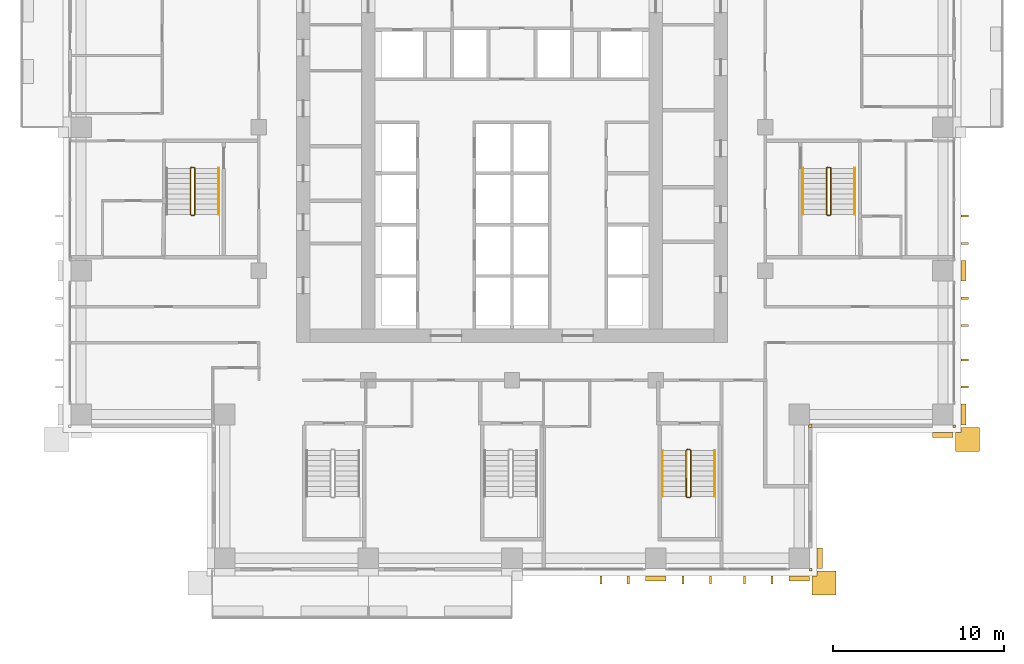
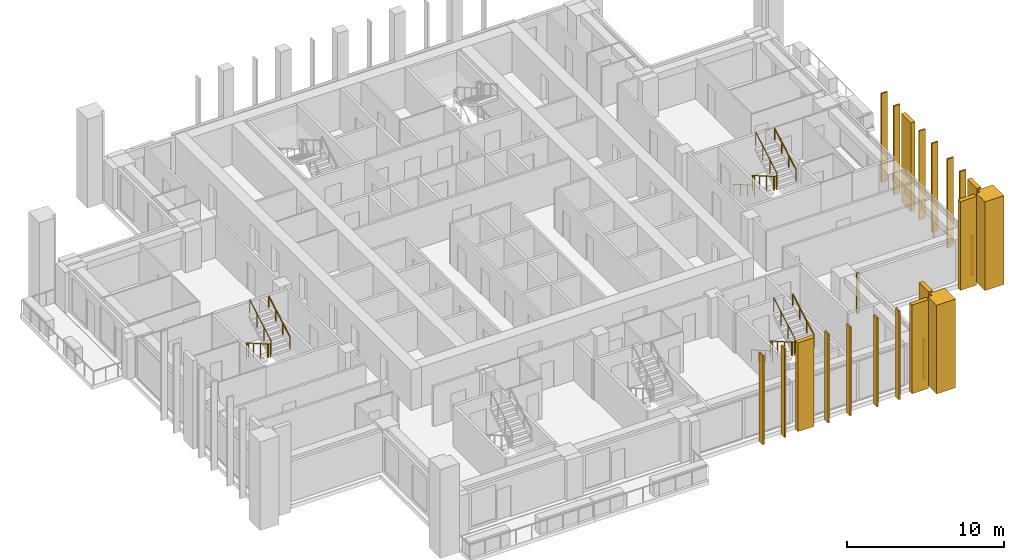
# One storey, part 14 of 17: 23 coverings, 8 railings.
"""IFC4 building model written with IfcOpenShell, lengths in metres."""

from ifc_helpers import new_model, si_unit, direction, frame, origin, origin_2d, place, context, subcontext, project, spatial, polyline, rectangle, outline, extrude, material, layer, layer_set, type_object, element, save


model = new_model("IFC4")

# Units and contexts
model_context = context("Model", 3, precision=1e-05, world=origin(), true_north=direction((0.0, 1.0)))
body_context = subcontext(model_context, "Body", "Model", "MODEL_VIEW")
ifc_project = project(units=[si_unit("LENGTHUNIT", "METRE"), si_unit("AREAUNIT", "SQUARE_METRE"), si_unit("VOLUMEUNIT", "CUBIC_METRE"), si_unit("PLANEANGLEUNIT", "RADIAN"), si_unit("MASSUNIT", "GRAM", prefix="KILO")], contexts=[model_context])

# Site, building, storey
site_placement = place(None, origin())
site = spatial("IfcSite", under=ifc_project, at=site_placement, CompositionType="ELEMENT")
building_placement = place(site_placement, origin())
building = spatial("IfcBuilding", under=site, at=building_placement, Name="Vermilion Ogive Tower", CompositionType="ELEMENT")
storey_placement = place(building_placement, frame((0.0, 0.0, 111.449951171875)))
storey = spatial("IfcBuildingStorey", under=building, at=storey_placement, Name="L28", CompositionType="ELEMENT", Elevation=111.449951171875)

# Coverings
ifc_material_1 = material(Name="Glazed ceramic screen")
ifc_layer = layer(ifc_material_1, 0.14990234375)
ifc_layer_set = layer_set([ifc_layer], Name="Ceramic solar screen fin")
covering_type_1 = type_object("IfcCoveringType", Name="Ceramic solar screen fin", PredefinedType="CLADDING", material=ifc_layer_set)
covering_1_placement = place(storey_placement, frame((0.0, 0.0, -0.320068359375)))
element("IfcCovering", 1, at=covering_1_placement, inside=storey, type_object=covering_type_1, Name="Solar screen blade S011", PredefinedType="CLADDING", context=body_context, shape_type="SweptSolid", body=[
    extrude(outline(polyline([(5.139892578125, -22.5), (5.260009765625, -22.5), (5.260009765625, -22.050048828125), (5.139892578125, -22.050048828125), (5.139892578125, -22.5)])), origin(), (0.0, 0.0, 1.0), 6.900146484375),
])
covering_2_placement = place(storey_placement, frame((0.0, 0.0, -0.320068359375)))
element("IfcCovering", 2, at=covering_2_placement, inside=storey, type_object=covering_type_1, Name="Solar screen blade S012", PredefinedType="CLADDING", context=body_context, shape_type="SweptSolid", body=[
    extrude(outline(polyline([(6.739990234375, -22.5), (6.860107421875, -22.5), (6.860107421875, -22.050048828125), (6.739990234375, -22.050048828125), (6.739990234375, -22.5)])), origin(), (0.0, 0.0, 1.0), 6.900146484375),
])
covering_3_placement = place(storey_placement, frame((0.0, 0.0, -0.320068359375)))
element("IfcCovering", 3, at=covering_3_placement, inside=storey, type_object=covering_type_1, Name="Solar screen blade S021", PredefinedType="CLADDING", context=body_context, shape_type="SweptSolid", body=[
    extrude(outline(polyline([(9.93994140625, -22.5), (10.06005859375, -22.5), (10.06005859375, -22.050048828125), (9.93994140625, -22.050048828125), (9.93994140625, -22.5)])), origin(), (0.0, 0.0, 1.0), 6.900146484375),
])
covering_4_placement = place(storey_placement, frame((0.0, 0.0, -0.320068359375)))
element("IfcCovering", 4, at=covering_4_placement, inside=storey, type_object=covering_type_1, Name="Solar screen blade S022", PredefinedType="CLADDING", context=body_context, shape_type="SweptSolid", body=[
    extrude(outline(polyline([(11.5400390625, -22.5), (11.659912109375, -22.5), (11.659912109375, -22.050048828125), (11.5400390625, -22.050048828125), (11.5400390625, -22.5)])), origin(), (0.0, 0.0, 1.0), 6.900146484375),
])
covering_5_placement = place(storey_placement, frame((0.0, 0.0, -0.320068359375)))
element("IfcCovering", 5, at=covering_5_placement, inside=storey, type_object=covering_type_1, Name="Solar screen blade S031", PredefinedType="CLADDING", context=body_context, shape_type="SweptSolid", body=[
    extrude(outline(polyline([(13.5400390625, -22.5), (13.659912109375, -22.5), (13.659912109375, -22.050048828125), (13.5400390625, -22.050048828125), (13.5400390625, -22.5)])), origin(), (0.0, 0.0, 1.0), 6.900146484375),
])
covering_6_placement = place(storey_placement, frame((0.0, 0.0, -0.320068359375)))
element("IfcCovering", 6, at=covering_6_placement, inside=storey, type_object=covering_type_1, Name="Solar screen blade S032", PredefinedType="CLADDING", context=body_context, shape_type="SweptSolid", body=[
    extrude(outline(polyline([(15.139892578125, -22.5), (15.260009765625, -22.5), (15.260009765625, -22.050048828125), (15.139892578125, -22.050048828125), (15.139892578125, -22.5)])), origin(), (0.0, 0.0, 1.0), 6.900146484375),
])
covering_7_placement = place(storey_placement, frame((0.0, 0.0, -0.320068359375)))
element("IfcCovering", 7, at=covering_7_placement, inside=storey, type_object=covering_type_1, Name="Solar screen blade E971", PredefinedType="CLADDING", context=body_context, shape_type="SweptSolid", body=[
    extrude(outline(polyline([(26.699951171875, -11.06005859375), (26.699951171875, -10.93994140625), (26.25, -10.93994140625), (26.25, -11.06005859375), (26.699951171875, -11.06005859375)])), origin(), (0.0, 0.0, 1.0), 6.900146484375),
])
covering_8_placement = place(storey_placement, frame((0.0, 0.0, -0.320068359375)))
element("IfcCovering", 8, at=covering_8_placement, inside=storey, type_object=covering_type_1, Name="Solar screen blade E972", PredefinedType="CLADDING", context=body_context, shape_type="SweptSolid", body=[
    extrude(outline(polyline([(26.699951171875, -9.4599609375), (26.699951171875, -9.340087890625), (26.25, -9.340087890625), (26.25, -9.4599609375), (26.699951171875, -9.4599609375)])), origin(), (0.0, 0.0, 1.0), 6.900146484375),
])
covering_9_placement = place(storey_placement, frame((0.0, 0.0, -0.320068359375)))
element("IfcCovering", 9, at=covering_9_placement, inside=storey, type_object=covering_type_1, Name="Solar screen blade E981", PredefinedType="CLADDING", context=body_context, shape_type="SweptSolid", body=[
    extrude(outline(polyline([(26.699951171875, -7.4599609375), (26.699951171875, -7.340087890625), (26.25, -7.340087890625), (26.25, -7.4599609375), (26.699951171875, -7.4599609375)])), origin(), (0.0, 0.0, 1.0), 6.900146484375),
])
covering_10_placement = place(storey_placement, frame((0.0, 0.0, -0.320068359375)))
element("IfcCovering", 10, at=covering_10_placement, inside=storey, type_object=covering_type_1, Name="Solar screen blade E982", PredefinedType="CLADDING", context=body_context, shape_type="SweptSolid", body=[
    extrude(outline(polyline([(26.699951171875, -5.860107421875), (26.699951171875, -5.739990234375), (26.25, -5.739990234375), (26.25, -5.860107421875), (26.699951171875, -5.860107421875)])), origin(), (0.0, 0.0, 1.0), 6.900146484375),
])
covering_11_placement = place(storey_placement, frame((0.0, 0.0, -0.320068359375)))
element("IfcCovering", 11, at=covering_11_placement, inside=storey, type_object=covering_type_1, Name="Solar screen blade E991", PredefinedType="CLADDING", context=body_context, shape_type="SweptSolid", body=[
    extrude(outline(polyline([(26.699951171875, -2.659912109375), (26.699951171875, -2.5400390625), (26.25, -2.5400390625), (26.25, -2.659912109375), (26.699951171875, -2.659912109375)])), origin(), (0.0, 0.0, 1.0), 6.900146484375),
])
covering_12_placement = place(storey_placement, frame((0.0, 0.0, -0.320068359375)))
element("IfcCovering", 12, at=covering_12_placement, inside=storey, type_object=covering_type_1, Name="Solar screen blade E992", PredefinedType="CLADDING", context=body_context, shape_type="SweptSolid", body=[
    extrude(outline(polyline([(26.699951171875, -1.06005859375), (26.699951171875, -0.93994140625), (26.25, -0.93994140625), (26.25, -1.06005859375), (26.699951171875, -1.06005859375)])), origin(), (0.0, 0.0, 1.0), 6.900146484375),
])

# Railings
ifc_material_2 = material(Name="Steel S355 painted", Category="steel")
railing_type_1 = type_object("IfcRailingType", Name="Stair guard 1100", PredefinedType="GUARDRAIL", material=ifc_material_2)
railing_1_placement = place(storey_placement, frame((10.39990234375, -14.64990234375, 0.0)))
element("IfcRailing", 13, at=railing_1_placement, inside=storey, type_object=railing_type_1, Name="L28 ST5 stair guard 4", PredefinedType="GUARDRAIL", context=body_context, shape_type="SweptSolid", body=[
    extrude(rectangle(XDim=0.048095703125, YDim=0.048095703125, at=origin_2d()), frame((0.0, 0.0, 1.076171875), z_axis=(-1.0, 0.0, 0.0), x_axis=(0.0, -1.0, 0.0)), (0.0, 0.0, 1.0), 0.14990234375),
    extrude(rectangle(XDim=0.048095703125, YDim=0.048095703125, at=origin_2d()), frame((-0.14990234375, 0.0, 1.076171875), z_axis=(-0.268277960024, -0.268277960024, 0.925231793839), x_axis=(0.707106781187, -0.707106781187, 0.0)), (0.0, 0.0, 1.0), 0.1865234375),
    extrude(rectangle(XDim=0.048095703125, YDim=0.048095703125, at=origin_2d()), frame((-0.199951171875, -0.050048828125, 1.24853515625), z_axis=(0.0, -0.866903762492, 0.498475542607), x_axis=(1.0, 0.0, 0.0)), (0.0, 0.0, 1.0), 3.114501953125),
    extrude(rectangle(XDim=0.048095703125, YDim=0.048095703125, at=origin_2d()), frame((-0.199951171875, -2.75, 2.80126953125), z_axis=(0.707106781187, -0.707106781187, 0.0), x_axis=(0.707106781187, 0.707106781187, 0.0)), (0.0, 0.0, 1.0), 0.07080078125),
    extrude(rectangle(XDim=0.048095703125, YDim=0.048095703125, at=origin_2d()), frame((-0.14990234375, -2.800048828125, 2.80126953125), z_axis=(1.0, 0.0, 0.0), x_axis=(0.0, 1.0, 0.0)), (0.0, 0.0, 1.0), 0.14990234375),
    extrude(rectangle(XDim=0.048095703125, YDim=0.048095703125, at=origin_2d()), frame((0.0, -2.800048828125, 2.80126953125), z_axis=(0.268603158521, 0.268603158521, 0.925043072762), x_axis=(-0.707106781187, 0.707106781187, 0.0)), (0.0, 0.0, 1.0), 0.186279296875),
    extrude(rectangle(XDim=0.048095703125, YDim=0.048095703125, at=origin_2d()), frame((0.050048828125, -2.75, 2.9736328125), z_axis=(0.0, 0.866903762492, 0.498475542607), x_axis=(-1.0, 0.0, 0.0)), (0.0, 0.0, 1.0), 3.114501953125),
    extrude(rectangle(XDim=0.0419921875, YDim=0.0419921875, at=origin_2d()), origin(), (0.0, 0.0, 1.0), 1.052001953125),
    extrude(rectangle(XDim=0.0419921875, YDim=0.0419921875, at=origin_2d()), frame((-0.14990234375, 0.0, 0.0)), (0.0, 0.0, 1.0), 1.052001953125),
    extrude(rectangle(XDim=0.0419921875, YDim=0.0419921875, at=origin_2d()), frame((-0.199951171875, -0.050048828125, 0.172607421875)), (0.0, 0.0, 1.0), 1.052001953125),
    extrude(rectangle(XDim=0.0419921875, YDim=0.0419921875, at=origin_2d()), frame((-0.199951171875, -0.949951171875, 0.690185546875)), (0.0, 0.0, 1.0), 1.052001953125),
    extrude(rectangle(XDim=0.0419921875, YDim=0.0419921875, at=origin_2d()), frame((-0.199951171875, -1.85009765625, 1.20751953125)), (0.0, 0.0, 1.0), 1.052001953125),
    extrude(rectangle(XDim=0.0419921875, YDim=0.0419921875, at=origin_2d()), frame((-0.199951171875, -2.75, 1.72509765625)), (0.0, 0.0, 1.0), 1.052001953125),
    extrude(rectangle(XDim=0.0419921875, YDim=0.0419921875, at=origin_2d()), frame((-0.14990234375, -2.800048828125, 1.72509765625)), (0.0, 0.0, 1.0), 1.052001953125),
    extrude(rectangle(XDim=0.0419921875, YDim=0.0419921875, at=origin_2d()), frame((0.0, -2.800048828125, 1.72509765625)), (0.0, 0.0, 1.0), 1.052001953125),
    extrude(rectangle(XDim=0.0419921875, YDim=0.0419921875, at=origin_2d()), frame((0.050048828125, -2.75, 1.8974609375)), (0.0, 0.0, 1.0), 1.052001953125),
    extrude(rectangle(XDim=0.0419921875, YDim=0.0419921875, at=origin_2d()), frame((0.050048828125, -1.85009765625, 2.4150390625)), (0.0, 0.0, 1.0), 1.052001953125),
    extrude(rectangle(XDim=0.0419921875, YDim=0.0419921875, at=origin_2d()), frame((0.050048828125, -0.949951171875, 2.932373046875)), (0.0, 0.0, 1.0), 1.052001953125),
    extrude(rectangle(XDim=0.0419921875, YDim=0.0419921875, at=origin_2d()), frame((0.050048828125, -0.050048828125, 3.449951171875)), (0.0, 0.0, 1.0), 1.052001953125),
])
railing_2_placement = place(storey_placement, frame((18.60009765625, 1.85009765625, 0.0)))
element("IfcRailing", 14, at=railing_2_placement, inside=storey, type_object=railing_type_1, Name="L28 ST8 stair guard 4", PredefinedType="GUARDRAIL", context=body_context, shape_type="SweptSolid", body=[
    extrude(rectangle(XDim=0.048095703125, YDim=0.048095703125, at=origin_2d()), frame((0.0, 0.0, 1.076171875), z_axis=(-1.0, 0.0, 0.0), x_axis=(0.0, -1.0, 0.0)), (0.0, 0.0, 1.0), 0.150146484375),
    extrude(rectangle(XDim=0.048095703125, YDim=0.048095703125, at=origin_2d()), frame((-0.150146484375, 0.0, 1.076171875), z_axis=(-0.268277960024, -0.268277960024, 0.925231793839), x_axis=(0.707106781187, -0.707106781187, 0.0)), (0.0, 0.0, 1.0), 0.1865234375),
    extrude(rectangle(XDim=0.048095703125, YDim=0.048095703125, at=origin_2d()), frame((-0.2001953125, -0.050048828125, 1.24853515625), z_axis=(0.0, -0.866903762492, 0.498475542607), x_axis=(1.0, 0.0, 0.0)), (0.0, 0.0, 1.0), 3.114501953125),
    extrude(rectangle(XDim=0.048095703125, YDim=0.048095703125, at=origin_2d()), frame((-0.2001953125, -2.75, 2.80126953125), z_axis=(0.707106781187, -0.707106781187, 0.0), x_axis=(0.707106781187, 0.707106781187, 0.0)), (0.0, 0.0, 1.0), 0.07080078125),
    extrude(rectangle(XDim=0.048095703125, YDim=0.048095703125, at=origin_2d()), frame((-0.150146484375, -2.800048828125, 2.80126953125), z_axis=(1.0, 0.0, 0.0), x_axis=(0.0, 1.0, 0.0)), (0.0, 0.0, 1.0), 0.150146484375),
    extrude(rectangle(XDim=0.048095703125, YDim=0.048095703125, at=origin_2d()), frame((0.0, -2.800048828125, 2.80126953125), z_axis=(0.267386790225, 0.268697509785, 0.925368009307), x_axis=(-0.708833529934, 0.705375805398, 0.0)), (0.0, 0.0, 1.0), 0.186279296875),
    extrude(rectangle(XDim=0.048095703125, YDim=0.048095703125, at=origin_2d()), frame((0.0498046875, -2.75, 2.9736328125), z_axis=(0.0, 0.866903762492, 0.498475542607), x_axis=(-1.0, 0.0, 0.0)), (0.0, 0.0, 1.0), 3.114501953125),
    extrude(rectangle(XDim=0.0419921875, YDim=0.0419921875, at=origin_2d()), origin(), (0.0, 0.0, 1.0), 1.052001953125),
    extrude(rectangle(XDim=0.0419921875, YDim=0.0419921875, at=origin_2d()), frame((-0.150146484375, 0.0, 0.0)), (0.0, 0.0, 1.0), 1.052001953125),
    extrude(rectangle(XDim=0.0419921875, YDim=0.0419921875, at=origin_2d()), frame((-0.2001953125, -0.050048828125, 0.172607421875)), (0.0, 0.0, 1.0), 1.052001953125),
    extrude(rectangle(XDim=0.0419921875, YDim=0.0419921875, at=origin_2d()), frame((-0.2001953125, -0.949951171875, 0.690185546875)), (0.0, 0.0, 1.0), 1.052001953125),
    extrude(rectangle(XDim=0.0419921875, YDim=0.0419921875, at=origin_2d()), frame((-0.2001953125, -1.85009765625, 1.20751953125)), (0.0, 0.0, 1.0), 1.052001953125),
    extrude(rectangle(XDim=0.0419921875, YDim=0.0419921875, at=origin_2d()), frame((-0.2001953125, -2.75, 1.72509765625)), (0.0, 0.0, 1.0), 1.052001953125),
    extrude(rectangle(XDim=0.0419921875, YDim=0.0419921875, at=origin_2d()), frame((-0.150146484375, -2.800048828125, 1.72509765625)), (0.0, 0.0, 1.0), 1.052001953125),
    extrude(rectangle(XDim=0.0419921875, YDim=0.0419921875, at=origin_2d()), frame((0.0, -2.800048828125, 1.72509765625)), (0.0, 0.0, 1.0), 1.052001953125),
    extrude(rectangle(XDim=0.0419921875, YDim=0.0419921875, at=origin_2d()), frame((0.0498046875, -2.75, 1.8974609375)), (0.0, 0.0, 1.0), 1.052001953125),
    extrude(rectangle(XDim=0.0419921875, YDim=0.0419921875, at=origin_2d()), frame((0.0498046875, -1.85009765625, 2.4150390625)), (0.0, 0.0, 1.0), 1.052001953125),
    extrude(rectangle(XDim=0.0419921875, YDim=0.0419921875, at=origin_2d()), frame((0.0498046875, -0.949951171875, 2.932373046875)), (0.0, 0.0, 1.0), 1.052001953125),
    extrude(rectangle(XDim=0.0419921875, YDim=0.0419921875, at=origin_2d()), frame((0.0498046875, -0.050048828125, 3.449951171875)), (0.0, 0.0, 1.0), 1.052001953125),
])
railing_3_placement = place(storey_placement, frame((-18.60009765625, 1.85009765625, 0.0)))
element("IfcRailing", 15, at=railing_3_placement, inside=storey, type_object=railing_type_1, Name="L28 ST9 stair guard 4", PredefinedType="GUARDRAIL", context=body_context, shape_type="SweptSolid", body=[
    extrude(rectangle(XDim=0.048095703125, YDim=0.048095703125, at=origin_2d()), frame((0.0, 0.0, 1.076171875), z_axis=(-1.0, 0.0, 0.0), x_axis=(0.0, -1.0, 0.0)), (0.0, 0.0, 1.0), 0.14990234375),
    extrude(rectangle(XDim=0.048095703125, YDim=0.048095703125, at=origin_2d()), frame((-0.14990234375, 0.0, 1.076171875), z_axis=(-0.268277960024, -0.268277960024, 0.925231793839), x_axis=(0.707106781187, -0.707106781187, 0.0)), (0.0, 0.0, 1.0), 0.1865234375),
    extrude(rectangle(XDim=0.048095703125, YDim=0.048095703125, at=origin_2d()), frame((-0.199951171875, -0.050048828125, 1.24853515625), z_axis=(0.0, -0.866903762492, 0.498475542607), x_axis=(1.0, 0.0, 0.0)), (0.0, 0.0, 1.0), 3.114501953125),
    extrude(rectangle(XDim=0.048095703125, YDim=0.048095703125, at=origin_2d()), frame((-0.199951171875, -2.75, 2.80126953125), z_axis=(0.707106781187, -0.707106781187, 0.0), x_axis=(0.707106781187, 0.707106781187, 0.0)), (0.0, 0.0, 1.0), 0.07080078125),
    extrude(rectangle(XDim=0.048095703125, YDim=0.048095703125, at=origin_2d()), frame((-0.14990234375, -2.800048828125, 2.80126953125), z_axis=(1.0, 0.0, 0.0), x_axis=(0.0, 1.0, 0.0)), (0.0, 0.0, 1.0), 0.14990234375),
    extrude(rectangle(XDim=0.048095703125, YDim=0.048095703125, at=origin_2d()), frame((0.0, -2.800048828125, 2.80126953125), z_axis=(0.268603158521, 0.268603158521, 0.925043072762), x_axis=(-0.707106781187, 0.707106781187, 0.0)), (0.0, 0.0, 1.0), 0.186279296875),
    extrude(rectangle(XDim=0.048095703125, YDim=0.048095703125, at=origin_2d()), frame((0.050048828125, -2.75, 2.9736328125), z_axis=(0.0, 0.866903762492, 0.498475542607), x_axis=(-1.0, 0.0, 0.0)), (0.0, 0.0, 1.0), 3.114501953125),
    extrude(rectangle(XDim=0.0419921875, YDim=0.0419921875, at=origin_2d()), origin(), (0.0, 0.0, 1.0), 1.052001953125),
    extrude(rectangle(XDim=0.0419921875, YDim=0.0419921875, at=origin_2d()), frame((-0.14990234375, 0.0, 0.0)), (0.0, 0.0, 1.0), 1.052001953125),
    extrude(rectangle(XDim=0.0419921875, YDim=0.0419921875, at=origin_2d()), frame((-0.199951171875, -0.050048828125, 0.172607421875)), (0.0, 0.0, 1.0), 1.052001953125),
    extrude(rectangle(XDim=0.0419921875, YDim=0.0419921875, at=origin_2d()), frame((-0.199951171875, -0.949951171875, 0.690185546875)), (0.0, 0.0, 1.0), 1.052001953125),
    extrude(rectangle(XDim=0.0419921875, YDim=0.0419921875, at=origin_2d()), frame((-0.199951171875, -1.85009765625, 1.20751953125)), (0.0, 0.0, 1.0), 1.052001953125),
    extrude(rectangle(XDim=0.0419921875, YDim=0.0419921875, at=origin_2d()), frame((-0.199951171875, -2.75, 1.72509765625)), (0.0, 0.0, 1.0), 1.052001953125),
    extrude(rectangle(XDim=0.0419921875, YDim=0.0419921875, at=origin_2d()), frame((-0.14990234375, -2.800048828125, 1.72509765625)), (0.0, 0.0, 1.0), 1.052001953125),
    extrude(rectangle(XDim=0.0419921875, YDim=0.0419921875, at=origin_2d()), frame((0.0, -2.800048828125, 1.72509765625)), (0.0, 0.0, 1.0), 1.052001953125),
    extrude(rectangle(XDim=0.0419921875, YDim=0.0419921875, at=origin_2d()), frame((0.050048828125, -2.75, 1.8974609375)), (0.0, 0.0, 1.0), 1.052001953125),
    extrude(rectangle(XDim=0.0419921875, YDim=0.0419921875, at=origin_2d()), frame((0.050048828125, -1.85009765625, 2.4150390625)), (0.0, 0.0, 1.0), 1.052001953125),
    extrude(rectangle(XDim=0.0419921875, YDim=0.0419921875, at=origin_2d()), frame((0.050048828125, -0.949951171875, 2.932373046875)), (0.0, 0.0, 1.0), 1.052001953125),
    extrude(rectangle(XDim=0.0419921875, YDim=0.0419921875, at=origin_2d()), frame((0.050048828125, -0.050048828125, 3.449951171875)), (0.0, 0.0, 1.0), 1.052001953125),
])
ifc_material_3 = material(Name="Stainless steel", Category="steel")
railing_type_2 = type_object("IfcRailingType", Name="Stair handrail 900", PredefinedType="HANDRAIL", material=ifc_material_3)
railing_4_placement = place(storey_placement, frame((8.800048828125, -14.699951171875, 0.172607421875)))
element("IfcRailing", 16, at=railing_4_placement, inside=storey, type_object=railing_type_2, Name="L28 ST5 stair handrail 1", PredefinedType="HANDRAIL", context=body_context, shape_type="SweptSolid", body=[
    extrude(rectangle(XDim=0.048095703125, YDim=0.048095703125, at=origin_2d()), frame((0.0, 0.0, 0.8759765625), z_axis=(0.0, -0.866903762492, 0.498475542607), x_axis=(1.0, 0.0, 0.0)), (0.0, 0.0, 1.0), 3.114501953125),
    extrude(rectangle(XDim=0.0419921875, YDim=0.0419921875, at=origin_2d()), origin(), (0.0, 0.0, 1.0), 0.851806640625),
    extrude(rectangle(XDim=0.0419921875, YDim=0.0419921875, at=origin_2d()), frame((0.0, -0.89990234375, 0.517578125)), (0.0, 0.0, 1.0), 0.851806640625),
    extrude(rectangle(XDim=0.0419921875, YDim=0.0419921875, at=origin_2d()), frame((0.0, -1.800048828125, 1.034912109375)), (0.0, 0.0, 1.0), 0.851806640625),
    extrude(rectangle(XDim=0.0419921875, YDim=0.0419921875, at=origin_2d()), frame((0.0, -2.699951171875, 1.552490234375)), (0.0, 0.0, 1.0), 0.851806640625),
])
railing_5_placement = place(storey_placement, frame((11.85009765625, -17.39990234375, 1.8974609375)))
element("IfcRailing", 17, at=railing_5_placement, inside=storey, type_object=railing_type_2, Name="L28 ST5 stair handrail 2", PredefinedType="HANDRAIL", context=body_context, shape_type="SweptSolid", body=[
    extrude(rectangle(XDim=0.048095703125, YDim=0.048095703125, at=origin_2d()), frame((0.0, 0.0, 0.8759765625), z_axis=(0.0, 0.866903762492, 0.498475542607), x_axis=(-1.0, 0.0, 0.0)), (0.0, 0.0, 1.0), 3.114501953125),
    extrude(rectangle(XDim=0.0419921875, YDim=0.0419921875, at=origin_2d()), origin(), (0.0, 0.0, 1.0), 0.851806640625),
    extrude(rectangle(XDim=0.0419921875, YDim=0.0419921875, at=origin_2d()), frame((0.0, 0.89990234375, 0.517578125)), (0.0, 0.0, 1.0), 0.851806640625),
    extrude(rectangle(XDim=0.0419921875, YDim=0.0419921875, at=origin_2d()), frame((0.0, 1.800048828125, 1.034912109375)), (0.0, 0.0, 1.0), 0.851806640625),
    extrude(rectangle(XDim=0.0419921875, YDim=0.0419921875, at=origin_2d()), frame((0.0, 2.699951171875, 1.552490234375)), (0.0, 0.0, 1.0), 0.851806640625),
])
railing_6_placement = place(storey_placement, frame((17.0, 1.800048828125, 0.172607421875)))
element("IfcRailing", 18, at=railing_6_placement, inside=storey, type_object=railing_type_2, Name="L28 ST8 stair handrail 1", PredefinedType="HANDRAIL", context=body_context, shape_type="SweptSolid", body=[
    extrude(rectangle(XDim=0.048095703125, YDim=0.048095703125, at=origin_2d()), frame((0.0, 0.0, 0.8759765625), z_axis=(0.0, -0.866903762492, 0.498475542607), x_axis=(1.0, 0.0, 0.0)), (0.0, 0.0, 1.0), 3.114501953125),
    extrude(rectangle(XDim=0.0419921875, YDim=0.0419921875, at=origin_2d()), origin(), (0.0, 0.0, 1.0), 0.851806640625),
    extrude(rectangle(XDim=0.0419921875, YDim=0.0419921875, at=origin_2d()), frame((0.0, -0.89990234375, 0.517578125)), (0.0, 0.0, 1.0), 0.851806640625),
    extrude(rectangle(XDim=0.0419921875, YDim=0.0419921875, at=origin_2d()), frame((0.0, -1.800048828125, 1.034912109375)), (0.0, 0.0, 1.0), 0.851806640625),
    extrude(rectangle(XDim=0.0419921875, YDim=0.0419921875, at=origin_2d()), frame((0.0, -2.699951171875, 1.552490234375)), (0.0, 0.0, 1.0), 0.851806640625),
])
for number, where, name in (
    (19, (20.050048828125, -0.89990234375, 1.8974609375), "L28 ST8 stair handrail 2"),
    (20, (-17.14990234375, -0.89990234375, 1.8974609375), "L28 ST9 stair handrail 2"),
):
    element("IfcRailing", number, at=place(storey_placement, frame(where)), inside=storey, type_object=railing_type_2, Name=name, PredefinedType="HANDRAIL", context=body_context, shape_type="SweptSolid", body=[
        extrude(rectangle(XDim=0.048095703125, YDim=0.048095703125, at=origin_2d()), frame((0.0, 0.0, 0.8759765625), z_axis=(0.0, 0.866903762492, 0.498475542607), x_axis=(-1.0, 0.0, 0.0)), (0.0, 0.0, 1.0), 3.114501953125),
        extrude(rectangle(XDim=0.0419921875, YDim=0.0419921875, at=origin_2d()), origin(), (0.0, 0.0, 1.0), 0.851806640625),
        extrude(rectangle(XDim=0.0419921875, YDim=0.0419921875, at=origin_2d()), frame((0.0, 0.89990234375, 0.517578125)), (0.0, 0.0, 1.0), 0.851806640625),
        extrude(rectangle(XDim=0.0419921875, YDim=0.0419921875, at=origin_2d()), frame((0.0, 1.800048828125, 1.034912109375)), (0.0, 0.0, 1.0), 0.851806640625),
        extrude(rectangle(XDim=0.0419921875, YDim=0.0419921875, at=origin_2d()), frame((0.0, 2.699951171875, 1.552490234375)), (0.0, 0.0, 1.0), 0.851806640625),
    ])

# Coverings
ifc_material_4 = material(Name="Stone cladding", Category="masonry")
covering_type_2 = type_object("IfcCoveringType", Name="Stone corner buttress", PredefinedType="CLADDING", material=ifc_material_4)
covering_13_placement = place(storey_placement, frame((0.0, 0.0, -0.320068359375)))
element("IfcCovering", 21, at=covering_13_placement, inside=storey, type_object=covering_type_2, Name="Stone corner buttress X11", PredefinedType="CLADDING", context=body_context, shape_type="SweptSolid", body=[
    extrude(outline(polyline([(17.550048828125, -22.050048828125), (17.85009765625, -22.050048828125), (17.85009765625, -21.75), (18.949951171875, -21.75), (18.949951171875, -23.14990234375), (17.550048828125, -23.14990234375), (17.550048828125, -22.050048828125)])), origin(), (0.0, 0.0, 1.0), 6.900146484375),
])
covering_14_placement = place(storey_placement, frame((0.0, 0.0, -0.320068359375)))
element("IfcCovering", 22, at=covering_14_placement, inside=storey, type_object=covering_type_2, Name="Stone corner buttress E1", PredefinedType="CLADDING", context=body_context, shape_type="SweptSolid", body=[
    extrude(outline(polyline([(25.949951171875, -13.64990234375), (26.25, -13.64990234375), (26.25, -13.35009765625), (27.35009765625, -13.35009765625), (27.35009765625, -14.75), (25.949951171875, -14.75), (25.949951171875, -13.64990234375)])), origin(), (0.0, 0.0, 1.0), 6.900146484375),
])
ifc_material_5 = material(Name="Stone cladding", Category="masonry")
covering_type_3 = type_object("IfcCoveringType", Name="Stone pier", PredefinedType="CLADDING", material=ifc_material_5)
covering_15_placement = place(storey_placement, origin())
element("IfcCovering", 23, at=covering_15_placement, inside=storey, type_object=covering_type_3, Name="Stone corner pier SE1", PredefinedType="CLADDING", context=body_context, shape_type="SweptSolid", body=[
    extrude(outline(polyline([(17.39990234375, -21.75), (17.39990234375, -21.60009765625), (17.39990234375, -21.60009765625), (17.550048828125, -21.60009765625), (17.550048828125, -21.75), (17.39990234375, -21.75)])), origin(), (0.0, 0.0, 1.0), 3.130126953125),
])
covering_16_placement = place(storey_placement, origin())
element("IfcCovering", 24, at=covering_16_placement, inside=storey, type_object=covering_type_3, Name="Stone corner pier X1E1", PredefinedType="CLADDING", context=body_context, shape_type="SweptSolid", body=[
    extrude(outline(polyline([(17.35009765625, -13.199951171875), (17.39990234375, -13.199951171875), (17.39990234375, -13.14990234375), (17.550048828125, -13.14990234375), (17.550048828125, -13.35009765625), (17.35009765625, -13.35009765625), (17.35009765625, -13.199951171875)])), origin(), (0.0, 0.0, 1.0), 3.130126953125),
])
covering_17_placement = place(storey_placement, origin())
element("IfcCovering", 25, at=covering_17_placement, inside=storey, type_object=covering_type_3, Name="Stone corner pier X2E1", PredefinedType="CLADDING", context=body_context, shape_type="SweptSolid", body=[
    extrude(outline(polyline([(25.800048828125, -13.35009765625), (25.800048828125, -13.199951171875), (25.949951171875, -13.199951171875), (25.949951171875, -13.35009765625), (25.800048828125, -13.35009765625)])), origin(), (0.0, 0.0, 1.0), 3.130126953125),
])
covering_18_placement = place(storey_placement, frame((0.0, 0.0, -0.320068359375)))
element("IfcCovering", 26, at=covering_18_placement, inside=storey, type_object=covering_type_3, Name="Stone pier P+0084-210", PredefinedType="CLADDING", context=body_context, shape_type="SweptSolid", body=[
    extrude(outline(polyline([(9.0, -22.35009765625), (7.800048828125, -22.35009765625), (7.800048828125, -22.050048828125), (9.0, -22.050048828125), (9.0, -22.35009765625)])), origin(), (0.0, 0.0, 1.0), 6.900146484375),
])
covering_19_placement = place(storey_placement, frame((0.0, 0.0, -0.320068359375)))
element("IfcCovering", 27, at=covering_19_placement, inside=storey, type_object=covering_type_3, Name="Stone pier P+0168-210S", PredefinedType="CLADDING", context=body_context, shape_type="SweptSolid", body=[
    extrude(outline(polyline([(17.39990234375, -22.35009765625), (16.199951171875, -22.35009765625), (16.199951171875, -22.050048828125), (17.39990234375, -22.050048828125), (17.39990234375, -22.35009765625)])), origin(), (0.0, 0.0, 1.0), 6.900146484375),
])
covering_20_placement = place(storey_placement, frame((0.0, 0.0, -0.320068359375)))
element("IfcCovering", 28, at=covering_20_placement, inside=storey, type_object=covering_type_3, Name="Stone pier P+0168-210X1", PredefinedType="CLADDING", context=body_context, shape_type="SweptSolid", body=[
    extrude(outline(polyline([(18.14990234375, -21.60009765625), (17.85009765625, -21.60009765625), (17.85009765625, -20.39990234375), (18.14990234375, -20.39990234375), (18.14990234375, -21.60009765625)])), origin(), (0.0, 0.0, 1.0), 6.900146484375),
])
covering_21_placement = place(storey_placement, frame((0.0, 0.0, -0.320068359375)))
element("IfcCovering", 29, at=covering_21_placement, inside=storey, type_object=covering_type_3, Name="Stone pier P+0252-042", PredefinedType="CLADDING", context=body_context, shape_type="SweptSolid", body=[
    extrude(outline(polyline([(26.550048828125, -3.60009765625), (26.550048828125, -4.800048828125), (26.25, -4.800048828125), (26.25, -3.60009765625), (26.550048828125, -3.60009765625)])), origin(), (0.0, 0.0, 1.0), 6.900146484375),
])
covering_22_placement = place(storey_placement, frame((0.0, 0.0, -0.320068359375)))
element("IfcCovering", 30, at=covering_22_placement, inside=storey, type_object=covering_type_3, Name="Stone pier P+0252-126X2", PredefinedType="CLADDING", context=body_context, shape_type="SweptSolid", body=[
    extrude(outline(polyline([(25.800048828125, -13.949951171875), (24.60009765625, -13.949951171875), (24.60009765625, -13.64990234375), (25.800048828125, -13.64990234375), (25.800048828125, -13.949951171875)])), origin(), (0.0, 0.0, 1.0), 6.900146484375),
])
covering_23_placement = place(storey_placement, frame((0.0, 0.0, -0.320068359375)))
element("IfcCovering", 31, at=covering_23_placement, inside=storey, type_object=covering_type_3, Name="Stone pier P+0252-126E", PredefinedType="CLADDING", context=body_context, shape_type="SweptSolid", body=[
    extrude(outline(polyline([(26.550048828125, -13.199951171875), (26.25, -13.199951171875), (26.25, -12.0), (26.550048828125, -12.0), (26.550048828125, -13.199951171875)])), origin(), (0.0, 0.0, 1.0), 6.900146484375),
])

save(model, "model.ifc")
